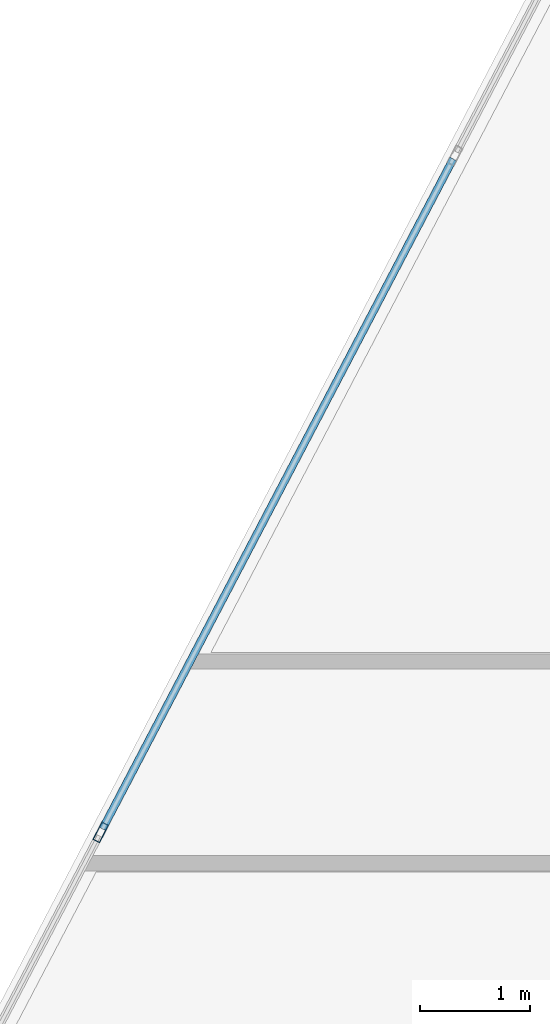
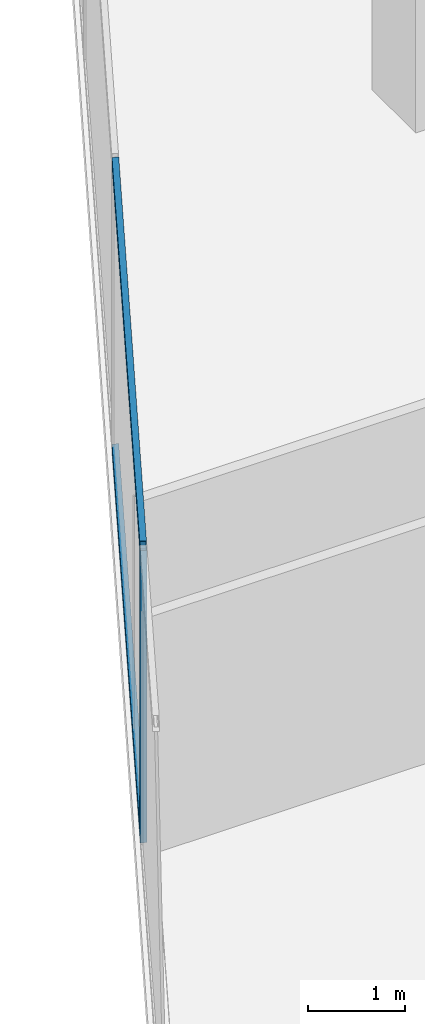
# One storey, part 7 of 27: 3 members, 1 element without a shape of its own.
"""IFC4 building model written with IfcOpenShell, lengths in metres."""

from ifc_helpers import new_model, si_unit, direction, frame, origin, origin_2d, place, context, subcontext, project, spatial, hollow_rectangle, extrude, source, transform, mapped, material, material_profile, profile_set, type_object, type_shapes, element, aggregate, save


model = new_model("IFC4")

# Units and contexts
model_context = context("Model", 3, precision=1e-05, world=origin(), true_north=direction((0.0, 1.0)))
body_context = subcontext(model_context, "Body", "Model", "MODEL_VIEW")
ifc_project = project(units=[si_unit("LENGTHUNIT", "METRE"), si_unit("AREAUNIT", "SQUARE_METRE"), si_unit("VOLUMEUNIT", "CUBIC_METRE"), si_unit("PLANEANGLEUNIT", "RADIAN"), si_unit("MASSUNIT", "GRAM", prefix="KILO")], contexts=[model_context])

# Site, building, storey
site_placement = place(None, origin())
site = spatial("IfcSite", under=ifc_project, at=site_placement, CompositionType="ELEMENT")
building_placement = place(site_placement, origin())
building = spatial("IfcBuilding", under=site, at=building_placement, Name="Krantzveldt Concourse Tower", CompositionType="ELEMENT")
storey_placement = place(building_placement, frame((0.0, 0.0, 150.14990234375)))
storey = spatial("IfcBuildingStorey", under=building, at=storey_placement, Name="L36", CompositionType="ELEMENT", Elevation=150.14990234375)

# Curtain wall, members
ifc_material = material(Name="Anodised aluminium 6063-T6", Category="aluminium")
curtain_wall_type = type_object("IfcCurtainWallType", Name="CW3", PredefinedType="USERDEFINED", material=ifc_material)
curtain_wall_placement = place(storey_placement, origin())
curtain_wall = element("IfcCurtainWall", 1, at=curtain_wall_placement, inside=storey, type_object=curtain_wall_type, Name="CW-L36-F01", ObjectType="UNITISED CURTAIN WALL", PredefinedType="USERDEFINED")
ifc_material_profile_1 = material_profile(ifc_material, hollow_rectangle(XDim=0.070068359375, YDim=0.179931640625, WallThickness=0.0048828125, at=origin_2d()), Name="Anodised aluminium 6063-T6", Category="aluminium")
ifc_profile_set_1 = profile_set([ifc_material_profile_1], Name="Anodised aluminium 6063-T6 - ALU-MULL 180x70x5")
member_type_1 = type_object("IfcMemberType", Name="CW-MUL-180", PredefinedType="MULLION", material=ifc_profile_set_1)
shared_shape_1 = source(origin(), body_context, "Body", "SweptSolid", [
    extrude(hollow_rectangle(XDim=0.070068359375, YDim=0.179931640625, WallThickness=0.0048828125, at=origin_2d()), origin(), (0.0, 0.0, 1.0), 3.670166015625),
])
type_shapes(member_type_1, [shared_shape_1])
member_1_placement = place(storey_placement, frame((11.83544921875, 27.56298828125, 0.0), z_axis=(0.0, 0.0, 1.0), x_axis=(0.886001265743, -0.463682819502, 0.0)))
member_1 = element("IfcMember", 2, at=member_1_placement, type_object=member_type_1, Name="CW-Z34 mullion 5", PredefinedType="MULLION", context=body_context, shape_type="MappedRepresentation", body=[
    mapped(shared_shape_1, transform((0.0, 0.0, 0.0), x_axis=(1.0, 0.0, 0.0), y_axis=(0.0, 1.0, 0.0), z_axis=(0.0, 0.0, 1.0), scale=1.0)),
])
ifc_material_profile_2 = material_profile(ifc_material, hollow_rectangle(XDim=0.070068359375, YDim=0.139892578125, WallThickness=0.0048828125, at=origin_2d()), Name="Anodised aluminium 6063-T6", Category="aluminium")
ifc_profile_set_2 = profile_set([ifc_material_profile_2], Name="Anodised aluminium 6063-T6 - ALU-TRAN 140x70x5")
member_type_2 = type_object("IfcMemberType", Name="CW-TRN-150", PredefinedType="USERDEFINED", material=ifc_profile_set_2)
shared_shape_2 = source(origin(), body_context, "Body", "SweptSolid", [
    extrude(hollow_rectangle(XDim=0.070068359375, YDim=0.139892578125, WallThickness=0.0048828125, at=origin_2d()), origin(), (0.0, 0.0, 1.0), 6.89013671875),
])
type_shapes(member_type_2, [shared_shape_2])
member_2_placement = place(storey_placement, frame((15.04638671875, 33.69873046875, 0.03515625), z_axis=(-0.463649467804, -0.886018719331, 0.0), x_axis=(0.886018719331, -0.463649467804, 0.0)))
member_2 = element("IfcMember", 3, at=member_2_placement, type_object=member_type_2, Name="CW-Z34 transom 4.1", ObjectType="TRANSOM", PredefinedType="USERDEFINED", context=body_context, shape_type="MappedRepresentation", body=[
    mapped(shared_shape_2, transform((0.0, 0.0, 0.0), x_axis=(1.0, 0.0, 0.0), y_axis=(0.0, 1.0, 0.0), z_axis=(0.0, 0.0, 1.0), scale=1.0)),
])
member_3_placement = place(storey_placement, frame((15.04638671875, 33.69873046875, 3.635009765625), z_axis=(-0.463649467804, -0.886018719331, 0.0), x_axis=(0.886018719331, -0.463649467804, 0.0)))
member_3 = element("IfcMember", 4, at=member_3_placement, type_object=member_type_2, Name="CW-Z34 transom 4.2", ObjectType="TRANSOM", PredefinedType="USERDEFINED", context=body_context, shape_type="MappedRepresentation", body=[
    mapped(shared_shape_2, transform((0.0, 0.0, 0.0), x_axis=(1.0, 0.0, 0.0), y_axis=(0.0, 1.0, 0.0), z_axis=(0.0, 0.0, 1.0), scale=1.0)),
])
aggregate(curtain_wall, [member_1, member_2, member_3])

save(model, "model.ifc")
